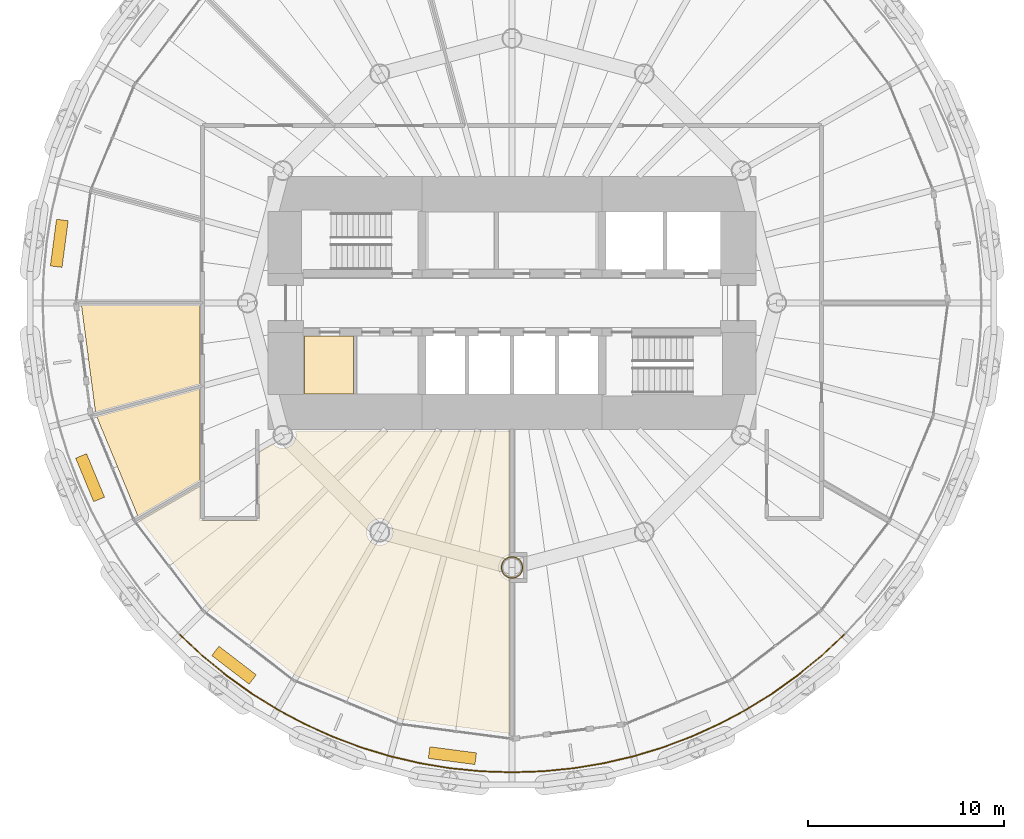
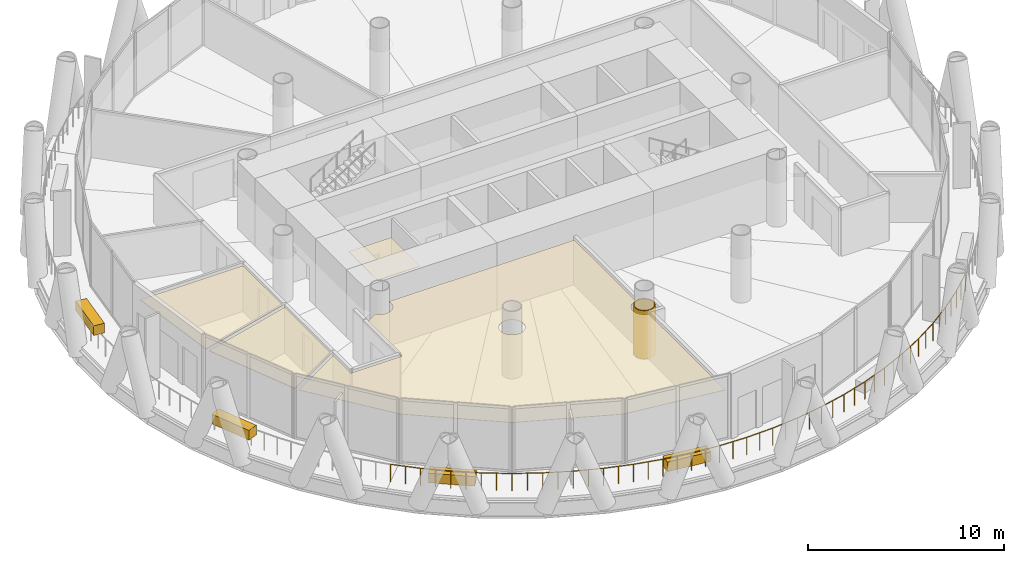
# One storey, part 12 of 15: 9 coverings, 1 railing.
"""IFC4 building model written with IfcOpenShell, lengths in metres."""

import ifcopenshell
import ifcopenshell.guid

model = None  # the IFC model being written
_history = None  # IfcOwnerHistory: only IFC2X3 demands one
_inside = {}  # id of a spatial element -> (the spatial element, [elements in it])
_under = {}  # id of a project, library or spatial element -> (it, [spatial elements below it])
_declared = {}  # id of a project -> (the project, [libraries it declares])
_typed = {}  # id of a type object -> (the type object, [elements of that type])
_made_of = {}  # id of a material, layer set ... -> (it, [elements and type objects made of it])


def new_model(schema):
    """Start an empty IFC model of exactly this schema.

    Asked for "IFC4X3", IfcOpenShell would pick the latest addendum, in which some entities
    have other attributes; the version numbers below select the first issue.
    IFC2X3 requires an IfcOwnerHistory on every rooted entity: one is made here for all.
    """
    global model, _history
    if schema == "IFC4X3":
        model = ifcopenshell.file(schema_version=(4, 3, 0, 0))
    else:
        model = ifcopenshell.file(schema=schema)
    _inside.clear()
    _under.clear()
    _declared.clear()
    _typed.clear()
    _made_of.clear()
    _history = None
    if model.schema == "IFC2X3":
        org = make("IfcOrganization", Name="unknown")
        user = make(
            "IfcPersonAndOrganization",
            ThePerson=make("IfcPerson", FamilyName="unknown"),
            TheOrganization=org,
        )
        app = make(
            "IfcApplication",
            ApplicationDeveloper=org,
            Version="unknown",
            ApplicationFullName="unknown",
            ApplicationIdentifier="unknown",
        )
        _history = make(
            "IfcOwnerHistory",
            OwningUser=user,
            OwningApplication=app,
            ChangeAction="ADDED",
            CreationDate=0,
        )
    return model


def make(cls, **values):
    """One entity of the class cls with the attributes given. An attribute that is None is left unset."""
    return model.create_entity(
        cls, **{name: value for name, value in values.items() if value is not None}
    )


def rooted(cls, **values):
    """An entity with a GlobalId (a new one), such as an element, a storey or a relation."""
    return make(cls, GlobalId=ifcopenshell.guid.new(), OwnerHistory=_history, **values)


def si_unit(unit_type, name, prefix=None):
    """IfcSIUnit, for example si_unit("LENGTHUNIT", "METRE", prefix="MILLI")."""
    return make("IfcSIUnit", UnitType=unit_type, Prefix=prefix, Name=name)


def assignment(units):
    """IfcUnitAssignment: the units of a project."""
    return None if units is None else make("IfcUnitAssignment", Units=units)


def point(xyz):
    """IfcCartesianPoint."""
    return None if xyz is None else make("IfcCartesianPoint", Coordinates=xyz)


def direction(xyz):
    """IfcDirection."""
    return None if xyz is None else make("IfcDirection", DirectionRatios=xyz)


def frame(location, z_axis=None, x_axis=None):
    """IfcAxis2Placement3D, a coordinate frame: its origin and axes. An axis left out is left unset."""
    return make(
        "IfcAxis2Placement3D",
        Location=point(location),
        Axis=direction(z_axis),
        RefDirection=direction(x_axis),
    )


def frame_2d(location, x_axis=None):
    """IfcAxis2Placement2D, a coordinate frame in the plane: its origin and x axis."""
    return make(
        "IfcAxis2Placement2D", Location=point(location), RefDirection=direction(x_axis)
    )


def origin():
    """The frame at (0, 0, 0) with its axes left unset."""
    return frame((0.0, 0.0, 0.0))


def origin_2d():
    """The frame at (0, 0) in the plane with its x axis left unset."""
    return frame_2d((0.0, 0.0))


def place(relative_to, where):
    """IfcLocalPlacement: puts the frame where relative to a parent placement (None: the world)."""
    return make(
        "IfcLocalPlacement", PlacementRelTo=relative_to, RelativePlacement=where
    )


def context(
    kind, dimensions, precision=None, world=None, true_north=None, identifier=None
):
    """IfcGeometricRepresentationContext, for example the 3D "Model" context."""
    return make(
        "IfcGeometricRepresentationContext",
        ContextIdentifier=identifier,
        ContextType=kind,
        CoordinateSpaceDimension=dimensions,
        Precision=precision,
        WorldCoordinateSystem=world,
        TrueNorth=true_north,
    )


def subcontext(parent, identifier, kind, view, scale=None):
    """IfcGeometricRepresentationSubContext, for example "Body" below "Model"."""
    return make(
        "IfcGeometricRepresentationSubContext",
        ContextIdentifier=identifier,
        ContextType=kind,
        ParentContext=parent,
        TargetScale=scale,
        TargetView=view,
    )


def project(units=None, contexts=None):
    """IfcProject with its units and contexts."""
    return rooted(
        "IfcProject",
        Name="project",
        RepresentationContexts=contexts,
        UnitsInContext=assignment(units),
    )


def spatial(cls, under=None, at=None, **own):
    """A site, building, storey or space (cls), placed at a placement, below another one or the project."""
    s = rooted(cls, ObjectPlacement=at, **own)
    if under is not None:
        _under.setdefault(under.id(), (under, []))[1].append(s)
    return s


def polyline(points):
    """IfcPolyline through the points."""
    return make("IfcPolyline", Points=[point(p) for p in points])


def profile(cls, at=None, kind="AREA", **sizes):
    """A parametric profile (cls). Its sizes go by their IFC names, for example OverallWidth=200.0."""
    return make(cls, ProfileType=kind, Position=at, **sizes)


def rectangle(**sizes):
    """IfcRectangleProfileDef."""
    return profile("IfcRectangleProfileDef", **sizes)


def circle(**sizes):
    """IfcCircleProfileDef."""
    return profile("IfcCircleProfileDef", **sizes)


def outline(outer, holes=None, kind="AREA"):
    """IfcArbitraryClosedProfileDef: a profile drawn as a closed curve; with holes, ...WithVoids."""
    if holes is None:
        return make("IfcArbitraryClosedProfileDef", ProfileType=kind, OuterCurve=outer)
    return make(
        "IfcArbitraryProfileDefWithVoids",
        ProfileType=kind,
        OuterCurve=outer,
        InnerCurves=holes,
    )


def extrude(swept, where, along, depth):
    """IfcExtrudedAreaSolid: the profile swept, set in the frame where, extruded along a direction by depth."""
    return make(
        "IfcExtrudedAreaSolid",
        SweptArea=swept,
        Position=where,
        ExtrudedDirection=direction(along),
        Depth=depth,
    )


def shape(context_of_items, identifier, shape_type, items):
    """IfcShapeRepresentation: the items that make up one representation, for example the "Body"."""
    return make(
        "IfcShapeRepresentation",
        ContextOfItems=context_of_items,
        RepresentationIdentifier=identifier,
        RepresentationType=shape_type,
        Items=items,
    )


def material(Name=None, Category=None):
    """IfcMaterial."""
    return make("IfcMaterial", Name=Name, Category=Category)


def layer(
    of_material, thickness, ventilated=None, Name=None, Category=None, Priority=None
):
    """IfcMaterialLayer: one layer of a wall or slab, of a material (None: an air gap)."""
    return make(
        "IfcMaterialLayer",
        Material=of_material,
        LayerThickness=thickness,
        IsVentilated=ventilated,
        Name=Name,
        Category=Category,
        Priority=Priority,
    )


def layer_set(layers, Name=None):
    """IfcMaterialLayerSet."""
    return make("IfcMaterialLayerSet", MaterialLayers=layers, LayerSetName=Name)


def made_of(thing, what):
    """Note that an element or type object is made of a material, layer set ...; save() writes the relation."""
    if what is not None:
        _made_of.setdefault(what.id(), (what, []))[1].append(thing)
    return thing


def type_object(cls, material=None, **own):
    """A type object (cls), such as IfcWallType, which elements share."""
    return made_of(rooted(cls, **own), material)


def element(
    cls,
    number,
    at=None,
    inside=None,
    cuts=None,
    type_object=None,
    material=None,
    context=None,
    identifier="Body",
    shape_type=None,
    held_by="IfcProductDefinitionShape",
    body=None,
    shapes=None,
    **own,
):
    """One element of the class cls, such as IfcWall. Its Tag is "e" and its number.

    at: its placement. inside: the storey or other place that contains it. cuts: it is an
    opening in that element (IfcRelVoidsElement). A single representation is given by context,
    identifier, shape_type and body (its items); several are given by shapes. held_by: the class
    of the entity that holds the representations. save() writes the other relations.
    """
    e = rooted(cls, Tag="e%d" % number, ObjectPlacement=at, **own)
    if body is not None:
        shapes = [shape(context, identifier, shape_type, body)]
    if shapes is not None:
        e.Representation = make(held_by, Representations=shapes)
    if inside is not None:
        _inside.setdefault(inside.id(), (inside, []))[1].append(e)
    if cuts is not None:
        rooted(
            "IfcRelVoidsElement", RelatingBuildingElement=cuts, RelatedOpeningElement=e
        )
    if type_object is not None:
        _typed.setdefault(type_object.id(), (type_object, []))[1].append(e)
    return made_of(e, material)


def aggregate(whole, parts):
    """IfcRelAggregates: a whole, such as a stair, and the parts it consists of."""
    return rooted("IfcRelAggregates", RelatingObject=whole, RelatedObjects=parts)


def save(model, path):
    """Write the relations noted so far, then the file.

    IfcRelAggregates (storeys below a building ...), IfcRelContainedInSpatialStructure (elements
    in a storey), IfcRelDefinesByType, IfcRelAssociatesMaterial and IfcRelDeclares: one each for
    every whole, place, type object, material and project.
    """
    for whole, parts in _under.values():
        aggregate(whole, parts)
    for where, things in _inside.values():
        rooted(
            "IfcRelContainedInSpatialStructure",
            RelatedElements=things,
            RelatingStructure=where,
        )
    for kind, things in _typed.values():
        rooted("IfcRelDefinesByType", RelatedObjects=things, RelatingType=kind)
    for what, things in _made_of.values():
        rooted("IfcRelAssociatesMaterial", RelatedObjects=things, RelatingMaterial=what)
    for by, libraries in _declared.values():
        rooted("IfcRelDeclares", RelatingContext=by, RelatedDefinitions=libraries)
    model.write(path)


model = new_model("IFC4")

# Units and contexts
model_context = context("Model", 3, precision=1e-05, world=origin(), true_north=direction((0.0, 1.0)))
body_context = subcontext(model_context, "Body", "Model", "MODEL_VIEW")
ifc_project = project(units=[si_unit("LENGTHUNIT", "METRE"), si_unit("AREAUNIT", "SQUARE_METRE"), si_unit("VOLUMEUNIT", "CUBIC_METRE"), si_unit("PLANEANGLEUNIT", "RADIAN"), si_unit("MASSUNIT", "GRAM", prefix="KILO")], contexts=[model_context])

# Site, building, storey
site_placement = place(None, origin())
site = spatial("IfcSite", under=ifc_project, at=site_placement, CompositionType="ELEMENT")
building_placement = place(site_placement, origin())
building = spatial("IfcBuilding", under=site, at=building_placement, Name="Qaws Media Tower", CompositionType="ELEMENT")
storey_placement = place(building_placement, frame((0.0, 0.0, 164.60009765625)))
storey = spatial("IfcBuildingStorey", under=building, at=storey_placement, Name="L37", CompositionType="ELEMENT", Elevation=164.60009765625)

# Coverings
ifc_material_1 = material(Name="40 perforated acoustic panels with mineral wool backing, suspended", Category="mineral fibre")
ifc_layer_1 = layer(ifc_material_1, 0.0400390625)
ifc_layer_set_1 = layer_set([ifc_layer_1], Name="Acoustic panel ceiling 40")
covering_type_1 = type_object("IfcCoveringType", Name="Acoustic panel ceiling 40", PredefinedType="CEILING", material=ifc_layer_set_1)
covering_1_placement = place(storey_placement, frame((0.0, 0.0, 2.849853515625)))
element("IfcCovering", 1, at=covering_1_placement, inside=storey, type_object=covering_type_1, Name="CL3 ceiling L37-06 Interview room", PredefinedType="CEILING", context=body_context, shape_type="SweptSolid", body=[
    extrude(outline(polyline([(38.029541015625, 49.887451171875), (44.08740234375, 49.887451171875), (44.08740234375, 45.852783203125), (38.7490234375, 44.42236328125), (38.029541015625, 49.887451171875)])), origin(), (0.0, 0.0, 1.0), 0.0400390625),
])
covering_2_placement = place(storey_placement, frame((0.0, 0.0, 2.849853515625)))
element("IfcCovering", 2, at=covering_2_placement, inside=storey, type_object=covering_type_1, Name="CL3 ceiling L37-07 Interview room", PredefinedType="CEILING", context=body_context, shape_type="SweptSolid", body=[
    extrude(outline(polyline([(38.807373046875, 44.205078125), (44.08740234375, 45.619873046875), (44.08740234375, 40.94287109375), (40.916748046875, 39.1123046875), (38.807373046875, 44.205078125)])), origin(), (0.0, 0.0, 1.0), 0.0400390625),
])

# Railing
ifc_material_2 = material(Name="Stainless steel and glass guard", Category="steel")
railing_type = type_object("IfcRailingType", Name="Balcony guard 1100", PredefinedType="GUARDRAIL", material=ifc_material_2)
railing_placement = place(storey_placement, frame((43.064697265625, 33.064697265625, 0.0)))
element("IfcRailing", 3, at=railing_placement, inside=storey, type_object=railing_type, Name="GR1 balcony guard L37-3", PredefinedType="GUARDRAIL", context=body_context, shape_type="SweptSolid", body=[
    extrude(circle(Radius=0.02392578125, at=origin_2d()), frame((0.0, 0.0, 1.076171875), z_axis=(0.729935409649, -0.683516128369, 0.0), x_axis=(0.683516128369, 0.729935409649, 0.0)), (0.0, 0.0, 1.0), 1.5673828125),
    extrude(circle(Radius=0.02392578125, at=origin_2d()), frame((1.14404296875, -1.0712890625, 1.076171875), z_axis=(0.773026356116, -0.634373906107, 0.0), x_axis=(0.634373906107, 0.773026356116, 0.0)), (0.0, 0.0, 1.0), 1.567138671875),
    extrude(circle(Radius=0.02392578125, at=origin_2d()), frame((2.35546875, -2.0654296875, 1.076171875), z_axis=(0.812785167092, -0.582563534865, 0.0), x_axis=(0.582563534865, 0.812785167092, 0.0)), (0.0, 0.0, 1.0), 1.5673828125),
    extrude(circle(Radius=0.02392578125, at=origin_2d()), frame((3.62939453125, -2.978515625, 1.076171875), z_axis=(0.849247564181, -0.527994862412, 0.0), x_axis=(0.527994862412, 0.849247564181, 0.0)), (0.0, 0.0, 1.0), 1.567138671875),
    extrude(circle(Radius=0.02392578125, at=origin_2d()), frame((4.960205078125, -3.805908203125, 1.076171875), z_axis=(0.881947298815, -0.47134802653, 0.0), x_axis=(0.47134802653, 0.881947298815, 0.0)), (0.0, 0.0, 1.0), 1.5673828125),
    extrude(circle(Radius=0.02392578125, at=origin_2d()), frame((6.342529296875, -4.544677734375, 1.076171875), z_axis=(0.91081938696, -0.412805092431, 0.0), x_axis=(0.412805092431, 0.91081938696, 0.0)), (0.0, 0.0, 1.0), 1.567138671875),
    extrude(circle(Radius=0.02392578125, at=origin_2d()), frame((7.77001953125, -5.191650390625, 1.076171875), z_axis=(0.935918820618, -0.352215787853, 0.0), x_axis=(0.352215787853, 0.935918820618, 0.0)), (0.0, 0.0, 1.0), 1.567138671875),
    extrude(circle(Radius=0.02392578125, at=origin_2d()), frame((9.23681640625, -5.74365234375, 1.076171875), z_axis=(0.956916908736, -0.290361894495, 0.0), x_axis=(0.290361894495, 0.956916908736, 0.0)), (0.0, 0.0, 1.0), 1.5673828125),
    extrude(circle(Radius=0.02392578125, at=origin_2d()), frame((10.736572265625, -6.19873046875, 1.076171875), z_axis=(0.973903220669, -0.226963690422, 0.0), x_axis=(0.226963690422, 0.973903220669, 0.0)), (0.0, 0.0, 1.0), 1.5673828125),
    extrude(circle(Radius=0.02392578125, at=origin_2d()), frame((12.262939453125, -6.554443359375, 1.076171875), z_axis=(0.986632877104, -0.162958785639, 0.0), x_axis=(0.162958785639, 0.986632877104, 0.0)), (0.0, 0.0, 1.0), 1.567138671875),
    extrude(circle(Radius=0.02392578125, at=origin_2d()), frame((13.80908203125, -6.809814453125, 1.076171875), z_axis=(0.995188700297, -0.097976787054, 0.0), x_axis=(0.097976787054, 0.995188700297, 0.0)), (0.0, 0.0, 1.0), 1.5673828125),
    extrude(circle(Radius=0.02392578125, at=origin_2d()), frame((15.368896484375, -6.96337890625, 1.076171875), z_axis=(0.999464781507, -0.032713155255, 0.0), x_axis=(0.032713155255, 0.999464781507, 0.0)), (0.0, 0.0, 1.0), 1.567138671875),
    extrude(circle(Radius=0.02392578125, at=origin_2d()), frame((16.935302734375, -7.0146484375, 1.076171875), z_axis=(0.999464781507, 0.032713155255, 0.0), x_axis=(-0.032713155255, 0.999464781507, 0.0)), (0.0, 0.0, 1.0), 1.567138671875),
    extrude(circle(Radius=0.02392578125, at=origin_2d()), frame((18.501708984375, -6.96337890625, 1.076171875), z_axis=(0.995188700297, 0.097976787054, 0.0), x_axis=(-0.097976787054, 0.995188700297, 0.0)), (0.0, 0.0, 1.0), 1.5673828125),
    extrude(circle(Radius=0.02392578125, at=origin_2d()), frame((20.0615234375, -6.809814453125, 1.076171875), z_axis=(0.986632877104, 0.162958785639, 0.0), x_axis=(-0.162958785639, 0.986632877104, 0.0)), (0.0, 0.0, 1.0), 1.567138671875),
    extrude(circle(Radius=0.02392578125, at=origin_2d()), frame((21.607666015625, -6.554443359375, 1.076171875), z_axis=(0.973903220669, 0.226963690422, 0.0), x_axis=(-0.226963690422, 0.973903220669, 0.0)), (0.0, 0.0, 1.0), 1.5673828125),
    extrude(circle(Radius=0.02392578125, at=origin_2d()), frame((23.134033203125, -6.19873046875, 1.076171875), z_axis=(0.956916908736, 0.290361894495, 0.0), x_axis=(-0.290361894495, 0.956916908736, 0.0)), (0.0, 0.0, 1.0), 1.5673828125),
    extrude(circle(Radius=0.02392578125, at=origin_2d()), frame((24.6337890625, -5.74365234375, 1.076171875), z_axis=(0.935918820618, 0.352215787853, 0.0), x_axis=(-0.352215787853, 0.935918820618, 0.0)), (0.0, 0.0, 1.0), 1.567138671875),
    extrude(circle(Radius=0.02392578125, at=origin_2d()), frame((26.1005859375, -5.191650390625, 1.076171875), z_axis=(0.91081938696, 0.412805092431, 0.0), x_axis=(-0.412805092431, 0.91081938696, 0.0)), (0.0, 0.0, 1.0), 1.567138671875),
    extrude(circle(Radius=0.02392578125, at=origin_2d()), frame((27.528076171875, -4.544677734375, 1.076171875), z_axis=(0.881947298815, 0.47134802653, 0.0), x_axis=(-0.47134802653, 0.881947298815, 0.0)), (0.0, 0.0, 1.0), 1.5673828125),
    extrude(circle(Radius=0.02392578125, at=origin_2d()), frame((28.910400390625, -3.805908203125, 1.076171875), z_axis=(0.849247564181, 0.527994862412, 0.0), x_axis=(-0.527994862412, 0.849247564181, 0.0)), (0.0, 0.0, 1.0), 1.567138671875),
    extrude(circle(Radius=0.02392578125, at=origin_2d()), frame((30.2412109375, -2.978515625, 1.076171875), z_axis=(0.812785167092, 0.582563534865, 0.0), x_axis=(-0.582563534865, 0.812785167092, 0.0)), (0.0, 0.0, 1.0), 1.5673828125),
    extrude(circle(Radius=0.02392578125, at=origin_2d()), frame((31.51513671875, -2.0654296875, 1.076171875), z_axis=(0.773026356116, 0.634373906107, 0.0), x_axis=(-0.634373906107, 0.773026356116, 0.0)), (0.0, 0.0, 1.0), 1.567138671875),
    extrude(circle(Radius=0.02392578125, at=origin_2d()), frame((32.7265625, -1.0712890625, 1.076171875), z_axis=(0.729935409649, 0.683516128369, 0.0), x_axis=(-0.683516128369, 0.729935409649, 0.0)), (0.0, 0.0, 1.0), 1.5673828125),
    extrude(circle(Radius=0.02099609375, at=origin_2d()), origin(), (0.0, 0.0, 1.0), 1.052001953125),
    extrude(circle(Radius=0.02099609375, at=origin_2d()), frame((0.572021484375, -0.53564453125, 0.0)), (0.0, 0.0, 1.0), 1.052001953125),
    extrude(circle(Radius=0.02099609375, at=origin_2d()), frame((1.14404296875, -1.0712890625, 0.0)), (0.0, 0.0, 1.0), 1.052001953125),
    extrude(circle(Radius=0.02099609375, at=origin_2d()), frame((1.749755859375, -1.568359375, 0.0)), (0.0, 0.0, 1.0), 1.052001953125),
    extrude(circle(Radius=0.02099609375, at=origin_2d()), frame((2.35546875, -2.0654296875, 0.0)), (0.0, 0.0, 1.0), 1.052001953125),
    extrude(circle(Radius=0.02099609375, at=origin_2d()), frame((2.992431640625, -2.52197265625, 0.0)), (0.0, 0.0, 1.0), 1.052001953125),
    extrude(circle(Radius=0.02099609375, at=origin_2d()), frame((3.62939453125, -2.978515625, 0.0)), (0.0, 0.0, 1.0), 1.052001953125),
    extrude(circle(Radius=0.02099609375, at=origin_2d()), frame((4.294921875, -3.39208984375, 0.0)), (0.0, 0.0, 1.0), 1.052001953125),
    extrude(circle(Radius=0.02099609375, at=origin_2d()), frame((4.960205078125, -3.805908203125, 0.0)), (0.0, 0.0, 1.0), 1.052001953125),
    extrude(circle(Radius=0.02099609375, at=origin_2d()), frame((5.6513671875, -4.17529296875, 0.0)), (0.0, 0.0, 1.0), 1.052001953125),
    extrude(circle(Radius=0.02099609375, at=origin_2d()), frame((6.342529296875, -4.544677734375, 0.0)), (0.0, 0.0, 1.0), 1.052001953125),
    extrude(circle(Radius=0.02099609375, at=origin_2d()), frame((7.05615234375, -4.8681640625, 0.0)), (0.0, 0.0, 1.0), 1.052001953125),
    extrude(circle(Radius=0.02099609375, at=origin_2d()), frame((7.77001953125, -5.191650390625, 0.0)), (0.0, 0.0, 1.0), 1.052001953125),
    extrude(circle(Radius=0.02099609375, at=origin_2d()), frame((8.50341796875, -5.4677734375, 0.0)), (0.0, 0.0, 1.0), 1.052001953125),
    extrude(circle(Radius=0.02099609375, at=origin_2d()), frame((9.23681640625, -5.74365234375, 0.0)), (0.0, 0.0, 1.0), 1.052001953125),
    extrude(circle(Radius=0.02099609375, at=origin_2d()), frame((9.98681640625, -5.97119140625, 0.0)), (0.0, 0.0, 1.0), 1.052001953125),
    extrude(circle(Radius=0.02099609375, at=origin_2d()), frame((10.736572265625, -6.19873046875, 0.0)), (0.0, 0.0, 1.0), 1.052001953125),
    extrude(circle(Radius=0.02099609375, at=origin_2d()), frame((11.499755859375, -6.37646484375, 0.0)), (0.0, 0.0, 1.0), 1.052001953125),
    extrude(circle(Radius=0.02099609375, at=origin_2d()), frame((12.262939453125, -6.554443359375, 0.0)), (0.0, 0.0, 1.0), 1.052001953125),
    extrude(circle(Radius=0.02099609375, at=origin_2d()), frame((13.0361328125, -6.68212890625, 0.0)), (0.0, 0.0, 1.0), 1.052001953125),
    extrude(circle(Radius=0.02099609375, at=origin_2d()), frame((13.80908203125, -6.809814453125, 0.0)), (0.0, 0.0, 1.0), 1.052001953125),
    extrude(circle(Radius=0.02099609375, at=origin_2d()), frame((14.5888671875, -6.88671875, 0.0)), (0.0, 0.0, 1.0), 1.052001953125),
    extrude(circle(Radius=0.02099609375, at=origin_2d()), frame((15.368896484375, -6.96337890625, 0.0)), (0.0, 0.0, 1.0), 1.052001953125),
    extrude(circle(Radius=0.02099609375, at=origin_2d()), frame((16.152099609375, -6.989013671875, 0.0)), (0.0, 0.0, 1.0), 1.052001953125),
    extrude(circle(Radius=0.02099609375, at=origin_2d()), frame((16.935302734375, -7.0146484375, 0.0)), (0.0, 0.0, 1.0), 1.052001953125),
    extrude(circle(Radius=0.02099609375, at=origin_2d()), frame((17.718505859375, -6.989013671875, 0.0)), (0.0, 0.0, 1.0), 1.052001953125),
    extrude(circle(Radius=0.02099609375, at=origin_2d()), frame((18.501708984375, -6.96337890625, 0.0)), (0.0, 0.0, 1.0), 1.052001953125),
    extrude(circle(Radius=0.02099609375, at=origin_2d()), frame((19.28173828125, -6.88671875, 0.0)), (0.0, 0.0, 1.0), 1.052001953125),
    extrude(circle(Radius=0.02099609375, at=origin_2d()), frame((20.0615234375, -6.809814453125, 0.0)), (0.0, 0.0, 1.0), 1.052001953125),
    extrude(circle(Radius=0.02099609375, at=origin_2d()), frame((20.83447265625, -6.68212890625, 0.0)), (0.0, 0.0, 1.0), 1.052001953125),
    extrude(circle(Radius=0.02099609375, at=origin_2d()), frame((21.607666015625, -6.554443359375, 0.0)), (0.0, 0.0, 1.0), 1.052001953125),
    extrude(circle(Radius=0.02099609375, at=origin_2d()), frame((22.370849609375, -6.37646484375, 0.0)), (0.0, 0.0, 1.0), 1.052001953125),
    extrude(circle(Radius=0.02099609375, at=origin_2d()), frame((23.134033203125, -6.19873046875, 0.0)), (0.0, 0.0, 1.0), 1.052001953125),
    extrude(circle(Radius=0.02099609375, at=origin_2d()), frame((23.8837890625, -5.97119140625, 0.0)), (0.0, 0.0, 1.0), 1.052001953125),
    extrude(circle(Radius=0.02099609375, at=origin_2d()), frame((24.6337890625, -5.74365234375, 0.0)), (0.0, 0.0, 1.0), 1.052001953125),
    extrude(circle(Radius=0.02099609375, at=origin_2d()), frame((25.3671875, -5.4677734375, 0.0)), (0.0, 0.0, 1.0), 1.052001953125),
    extrude(circle(Radius=0.02099609375, at=origin_2d()), frame((26.1005859375, -5.191650390625, 0.0)), (0.0, 0.0, 1.0), 1.052001953125),
    extrude(circle(Radius=0.02099609375, at=origin_2d()), frame((26.814453125, -4.8681640625, 0.0)), (0.0, 0.0, 1.0), 1.052001953125),
    extrude(circle(Radius=0.02099609375, at=origin_2d()), frame((27.528076171875, -4.544677734375, 0.0)), (0.0, 0.0, 1.0), 1.052001953125),
    extrude(circle(Radius=0.02099609375, at=origin_2d()), frame((28.21923828125, -4.17529296875, 0.0)), (0.0, 0.0, 1.0), 1.052001953125),
    extrude(circle(Radius=0.02099609375, at=origin_2d()), frame((28.910400390625, -3.805908203125, 0.0)), (0.0, 0.0, 1.0), 1.052001953125),
    extrude(circle(Radius=0.02099609375, at=origin_2d()), frame((29.57568359375, -3.39208984375, 0.0)), (0.0, 0.0, 1.0), 1.052001953125),
    extrude(circle(Radius=0.02099609375, at=origin_2d()), frame((30.2412109375, -2.978515625, 0.0)), (0.0, 0.0, 1.0), 1.052001953125),
    extrude(circle(Radius=0.02099609375, at=origin_2d()), frame((30.878173828125, -2.52197265625, 0.0)), (0.0, 0.0, 1.0), 1.052001953125),
    extrude(circle(Radius=0.02099609375, at=origin_2d()), frame((31.51513671875, -2.0654296875, 0.0)), (0.0, 0.0, 1.0), 1.052001953125),
    extrude(circle(Radius=0.02099609375, at=origin_2d()), frame((32.120849609375, -1.568359375, 0.0)), (0.0, 0.0, 1.0), 1.052001953125),
    extrude(circle(Radius=0.02099609375, at=origin_2d()), frame((32.7265625, -1.0712890625, 0.0)), (0.0, 0.0, 1.0), 1.052001953125),
    extrude(circle(Radius=0.02099609375, at=origin_2d()), frame((33.298583984375, -0.53564453125, 0.0)), (0.0, 0.0, 1.0), 1.052001953125),
    extrude(circle(Radius=0.02099609375, at=origin_2d()), frame((33.87060546875, 0.0, 0.0)), (0.0, 0.0, 1.0), 1.052001953125),
])

# Coverings
ifc_material_3 = material(Name="Two layers 15 fire-rated gypsum board on steel framing", Category="steel")
ifc_layer_2 = layer(ifc_material_3, 0.050048828125)
ifc_layer_set_2 = layer_set([ifc_layer_2], Name="Column fire casing")
covering_type_2 = type_object("IfcCoveringType", Name="Column fire casing", PredefinedType="CLADDING", material=ifc_layer_set_2)
covering_3_placement = place(storey_placement, origin())
element("IfcCovering", 4, at=covering_3_placement, inside=storey, type_object=covering_type_2, Name="CC1 column casing L37", PredefinedType="CLADDING", context=body_context, shape_type="SweptSolid", body=[
    extrude(outline(polyline([(60.56298828125, 36.5), (60.55810546875, 36.426513671875), (60.543701171875, 36.354248046875), (60.52001953125, 36.284423828125), (60.487548828125, 36.218505859375), (60.44677734375, 36.1572265625), (60.398193359375, 36.101806640625), (60.3427734375, 36.05322265625), (60.281494140625, 36.012451171875), (60.215576171875, 35.97998046875), (60.145751953125, 35.956298828125), (60.073486328125, 35.94189453125), (60.0, 35.93701171875), (59.926513671875, 35.94189453125), (59.854248046875, 35.956298828125), (59.784423828125, 35.97998046875), (59.718505859375, 36.012451171875), (59.6572265625, 36.05322265625), (59.601806640625, 36.101806640625), (59.55322265625, 36.1572265625), (59.512451171875, 36.218505859375), (59.47998046875, 36.284423828125), (59.456298828125, 36.354248046875), (59.44189453125, 36.426513671875), (59.43701171875, 36.5), (59.44189453125, 36.573486328125), (59.456298828125, 36.645751953125), (59.47998046875, 36.715576171875), (59.512451171875, 36.781494140625), (59.55322265625, 36.8427734375), (59.601806640625, 36.898193359375), (59.6572265625, 36.94677734375), (59.718505859375, 36.987548828125), (59.784423828125, 37.02001953125), (59.854248046875, 37.043701171875), (59.926513671875, 37.05810546875), (60.0, 37.06298828125), (60.073486328125, 37.05810546875), (60.145751953125, 37.043701171875), (60.215576171875, 37.02001953125), (60.281494140625, 36.987548828125), (60.3427734375, 36.94677734375), (60.398193359375, 36.898193359375), (60.44677734375, 36.8427734375), (60.487548828125, 36.781494140625), (60.52001953125, 36.715576171875), (60.543701171875, 36.645751953125), (60.55810546875, 36.573486328125), (60.56298828125, 36.5)]), holes=[polyline([(60.510986328125, 36.5), (60.506591796875, 36.433349609375), (60.49365234375, 36.36767578125), (60.47216796875, 36.304443359375), (60.4423828125, 36.244384765625), (60.405517578125, 36.18896484375), (60.361328125, 36.138671875), (60.31103515625, 36.094482421875), (60.255615234375, 36.0576171875), (60.195556640625, 36.02783203125), (60.13232421875, 36.00634765625), (60.066650390625, 35.993408203125), (60.0, 35.989013671875), (59.933349609375, 35.993408203125), (59.86767578125, 36.00634765625), (59.804443359375, 36.02783203125), (59.744384765625, 36.0576171875), (59.68896484375, 36.094482421875), (59.638671875, 36.138671875), (59.594482421875, 36.18896484375), (59.5576171875, 36.244384765625), (59.52783203125, 36.304443359375), (59.50634765625, 36.36767578125), (59.493408203125, 36.433349609375), (59.489013671875, 36.5), (59.493408203125, 36.566650390625), (59.50634765625, 36.63232421875), (59.52783203125, 36.695556640625), (59.5576171875, 36.755615234375), (59.594482421875, 36.81103515625), (59.638671875, 36.861328125), (59.68896484375, 36.905517578125), (59.744384765625, 36.9423828125), (59.804443359375, 36.97216796875), (59.86767578125, 36.99365234375), (59.933349609375, 37.006591796875), (60.0, 37.010986328125), (60.066650390625, 37.006591796875), (60.13232421875, 36.99365234375), (60.195556640625, 36.97216796875), (60.255615234375, 36.9423828125), (60.31103515625, 36.905517578125), (60.361328125, 36.861328125), (60.405517578125, 36.81103515625), (60.4423828125, 36.755615234375), (60.47216796875, 36.695556640625), (60.49365234375, 36.63232421875), (60.506591796875, 36.566650390625), (60.510986328125, 36.5)])]), origin(), (0.0, 0.0, 1.0), 3.02001953125),
])
ifc_material_4 = material(Name="600 x 600 mineral fibre tiles in exposed grid, suspended", Category="mineral fibre")
ifc_layer_3 = layer(ifc_material_4, 0.02001953125)
ifc_layer_set_3 = layer_set([ifc_layer_3], Name="Mineral fibre tile ceiling 20")
covering_type_3 = type_object("IfcCoveringType", Name="Mineral fibre tile ceiling 20", PredefinedType="CEILING", material=ifc_layer_set_3)
covering_4_placement = place(storey_placement, frame((0.0, 0.0, 2.849853515625)))
element("IfcCovering", 5, at=covering_4_placement, inside=storey, type_object=covering_type_3, Name="CL1 ceiling L37-08 HR office", PredefinedType="CEILING", context=body_context, shape_type="SweptSolid", body=[
    extrude(outline(polyline([(54.309814453125, 28.763916015625), (49.00732421875, 30.960205078125), (44.4541015625, 34.4541015625), (41.029296875, 38.91748046875), (44.08740234375, 40.68310546875), (44.08740234375, 38.887451171875), (47.112548828125, 38.887451171875), (47.112548828125, 42.429443359375), (47.795654296875, 42.823974609375), (47.836181640625, 42.777587890625), (47.902099609375, 42.719970703125), (47.974609375, 42.67138671875), (48.052978515625, 42.6328125), (48.1357421875, 42.604736328125), (48.221435546875, 42.587646484375), (48.30859375, 42.58203125), (48.395751953125, 42.587646484375), (48.4814453125, 42.604736328125), (48.564208984375, 42.6328125), (48.642578125, 42.67138671875), (48.71533203125, 42.719970703125), (48.781005859375, 42.777587890625), (48.838623046875, 42.84326171875), (48.88720703125, 42.916015625), (48.92578125, 42.994384765625), (48.953857421875, 43.0771484375), (48.970947265625, 43.162841796875), (48.976806640625, 43.25), (48.970947265625, 43.337158203125), (48.953857421875, 43.4228515625), (48.948974609375, 43.4375), (59.887451171875, 43.4375), (59.887451171875, 37.1572265625), (59.8271484375, 37.145263671875), (59.744384765625, 37.1171875), (59.666015625, 37.07861328125), (59.59326171875, 37.030029296875), (59.527587890625, 36.972412109375), (59.469970703125, 36.90673828125), (59.42138671875, 36.833984375), (59.3828125, 36.755615234375), (59.354736328125, 36.6728515625), (59.337646484375, 36.587158203125), (59.33203125, 36.5), (59.337646484375, 36.412841796875), (59.354736328125, 36.3271484375), (59.3828125, 36.244384765625), (59.42138671875, 36.166015625), (59.469970703125, 36.09326171875), (59.527587890625, 36.027587890625), (59.59326171875, 35.969970703125), (59.666015625, 35.92138671875), (59.744384765625, 35.8828125), (59.8271484375, 35.854736328125), (59.887451171875, 35.8427734375), (59.887451171875, 28.029541015625), (54.309814453125, 28.763916015625)]), holes=[polyline([(53.895263671875, 38.1357421875), (53.912353515625, 38.221435546875), (53.91796875, 38.30859375), (53.912353515625, 38.395751953125), (53.895263671875, 38.4814453125), (53.8671875, 38.564208984375), (53.82861328125, 38.642578125), (53.780029296875, 38.71533203125), (53.722412109375, 38.781005859375), (53.65673828125, 38.838623046875), (53.583984375, 38.88720703125), (53.505615234375, 38.92578125), (53.4228515625, 38.953857421875), (53.337158203125, 38.970947265625), (53.25, 38.976806640625), (53.162841796875, 38.970947265625), (53.0771484375, 38.953857421875), (52.994384765625, 38.92578125), (52.916015625, 38.88720703125), (52.84326171875, 38.838623046875), (52.777587890625, 38.781005859375), (52.719970703125, 38.71533203125), (52.67138671875, 38.642578125), (52.6328125, 38.564208984375), (52.604736328125, 38.4814453125), (52.587646484375, 38.395751953125), (52.58203125, 38.30859375), (52.587646484375, 38.221435546875), (52.604736328125, 38.1357421875), (52.6328125, 38.052978515625), (52.67138671875, 37.974609375), (52.719970703125, 37.902099609375), (52.777587890625, 37.836181640625), (52.84326171875, 37.77880859375), (52.916015625, 37.730224609375), (52.994384765625, 37.69140625), (53.0771484375, 37.663330078125), (53.162841796875, 37.646484375), (53.25, 37.640625), (53.337158203125, 37.646484375), (53.4228515625, 37.663330078125), (53.505615234375, 37.69140625), (53.583984375, 37.730224609375), (53.65673828125, 37.77880859375), (53.722412109375, 37.836181640625), (53.780029296875, 37.902099609375), (53.82861328125, 37.974609375), (53.8671875, 38.052978515625), (53.895263671875, 38.1357421875)])]), origin(), (0.0, 0.0, 1.0), 0.02001953125),
])
ifc_material_5 = material(Name="Precast concrete planter with trailing planting", Category="concrete")
ifc_layer_4 = layer(ifc_material_5, 0.60009765625)
ifc_layer_set_4 = layer_set([ifc_layer_4], Name="Planter 2400x600")
covering_type_4 = type_object("IfcCoveringType", Name="Planter 2400x600", PredefinedType="USERDEFINED", material=ifc_layer_set_4)
for number, where, z_axis, x_axis, name in (
    (6, (36.8994140625, 53.041259765625, -0.000244140625), (0.0, 0.0, 1.0), (-0.13052619222, -0.991444861374, 0.0), "PL1 balcony planter L37-06"),
    (7, (38.4736328125, 41.08349609375, -0.000244140625), (0.0, 0.0, 1.0), (0.382683432365, -0.923879532511, 0.0), "PL1 balcony planter L37-07"),
    (8, (45.81591796875, 31.514892578125, -0.000244140625), (0.0, 0.0, 1.0), (0.793353340291, -0.608761429009, 0.0), "PL1 balcony planter L37-08"),
    (9, (56.958740234375, 26.8994140625, -0.000244140625), (0.0, 0.0, 1.0), (0.991444861374, -0.13052619222, 0.0), "PL1 balcony planter L37-09"),
):
    element("IfcCovering", number, at=place(storey_placement, frame(where, z_axis=z_axis, x_axis=x_axis)), inside=storey, type_object=covering_type_4, Name=name, ObjectType="PLANTER", PredefinedType="USERDEFINED", context=body_context, shape_type="SweptSolid", body=[
        extrude(rectangle(XDim=2.39990234375, YDim=0.60009765625, at=origin_2d()), origin(), (0.0, 0.0, 1.0), 0.60009765625),
    ])
ifc_material_6 = material(Name="Two layers 12.5 moisture-resistant plasterboard on suspended metal furring", Category="gypsum")
ifc_layer_5 = layer(ifc_material_6, 0.02490234375)
ifc_layer_set_5 = layer_set([ifc_layer_5], Name="Plasterboard ceiling 25")
covering_type_5 = type_object("IfcCoveringType", Name="Plasterboard ceiling 25", PredefinedType="CEILING", material=ifc_layer_set_5)
covering_5_placement = place(storey_placement, frame((0.0, 0.0, 2.849853515625)))
element("IfcCovering", 10, at=covering_5_placement, inside=storey, type_object=covering_type_5, Name="CL2 ceiling L37-C04 Accessible WC", PredefinedType="CEILING", context=body_context, shape_type="SweptSolid", body=[
    extrude(outline(polyline([(49.39990234375, 45.35009765625), (49.39990234375, 48.300048828125), (51.89990234375, 48.300048828125), (51.89990234375, 45.35009765625), (49.39990234375, 45.35009765625)])), origin(), (0.0, 0.0, 1.0), 0.025146484375),
])

save(model, "model.ifc")
